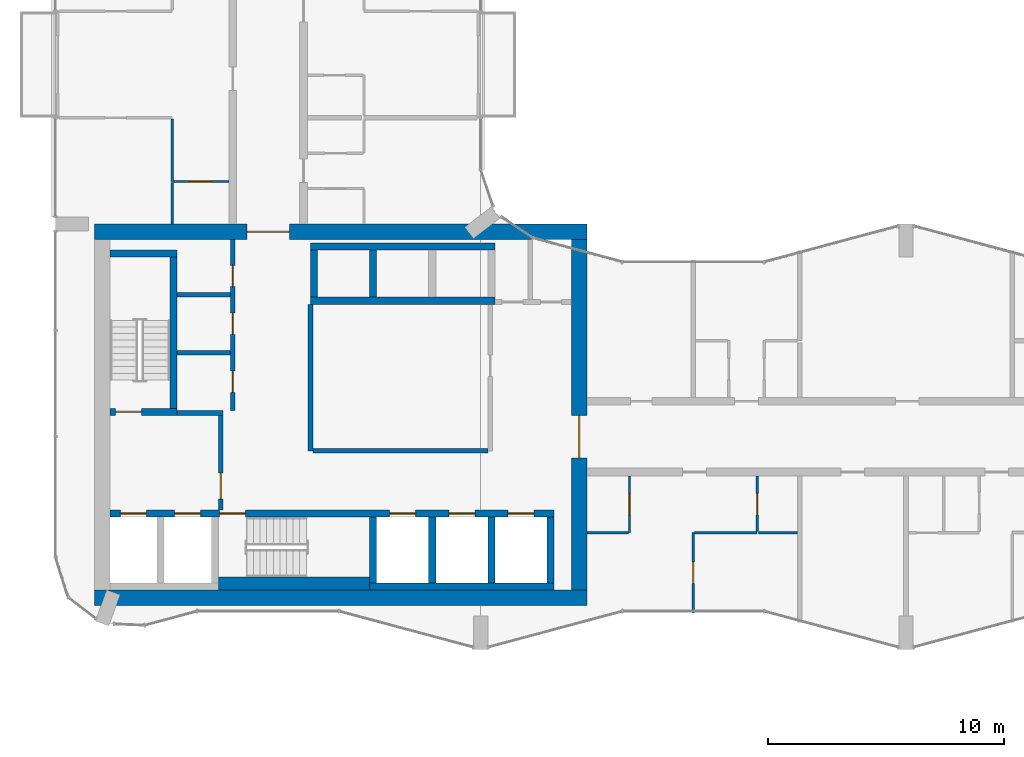
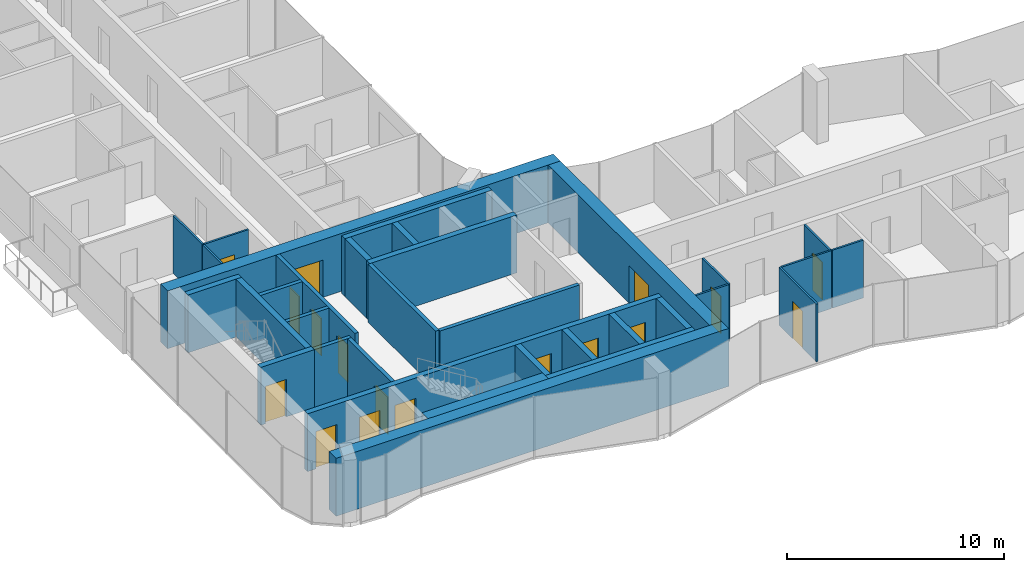
# One storey, part 13 of 22: 33 walls, 17 doors, 17 openings.
"""IFC4 building model written with IfcOpenShell, lengths in metres."""

from ifc_helpers import new_model, si_unit, direction, frame, frame_2d, origin, place, context, subcontext, project, spatial, rectangle, extrude, material, layer, layer_set, type_object, element, fill, save


model = new_model("IFC4")

# Units and contexts
model_context = context("Model", 3, precision=1e-05, world=origin(), true_north=direction((0.0, 1.0)))
body_context = subcontext(model_context, "Body", "Model", "MODEL_VIEW")
ifc_project = project(units=[si_unit("LENGTHUNIT", "METRE"), si_unit("AREAUNIT", "SQUARE_METRE"), si_unit("VOLUMEUNIT", "CUBIC_METRE"), si_unit("PLANEANGLEUNIT", "RADIAN"), si_unit("MASSUNIT", "GRAM", prefix="KILO")], contexts=[model_context])

# Site, building, storey
site_placement = place(None, origin())
site = spatial("IfcSite", under=ifc_project, at=site_placement, CompositionType="ELEMENT")
building_placement = place(site_placement, origin())
building = spatial("IfcBuilding", under=site, at=building_placement, Name="Plateau Cross Towers", CompositionType="ELEMENT")
storey_placement = place(building_placement, frame((0.0, 0.0, 109.800048828125)))
storey = spatial("IfcBuildingStorey", under=building, at=storey_placement, Name="L28", CompositionType="ELEMENT", Elevation=109.800048828125)

# Wall, opening, door
ifc_material_1 = material(Name="Concrete block, plastered both sides", Category="concrete")
ifc_layer_1 = layer(ifc_material_1, 0.199951171875)
ifc_layer_set_1 = layer_set([ifc_layer_1], Name="Concrete block, plastered both sides")
wall_type_1 = type_object("IfcWallType", Name="Core partition 200", PredefinedType="PARTITIONING", material=ifc_layer_set_1)
wall_1_placement = place(storey_placement, frame((7.0, 5.89990234375, 0.0), z_axis=(0.0, 0.0, 1.0), x_axis=(0.0, 1.0, 0.0)))
wall_1 = element("IfcWall", 1, at=wall_1_placement, inside=storey, type_object=wall_type_1, Name="Core partition", PredefinedType="PARTITIONING", context=body_context, shape_type="SweptSolid", body=[
    extrude(rectangle(XDim=4.0, YDim=0.199951171875, at=frame_2d((2.0, 0.0))), origin(), (0.0, 0.0, 1.0), 3.25),
])
opening_1_placement = place(wall_1_placement, frame((0.449951171875, 0.0, 0.0)))
opening_1 = element("IfcOpeningElement", 2, at=opening_1_placement, cuts=wall_1, Name="Opening FFD", PredefinedType="OPENING", context=body_context, shape_type="SweptSolid", body=[
    extrude(rectangle(XDim=1.10009765625, YDim=2.10009765625, at=frame_2d((0.550048828125, 1.050048828125))), frame((0.0, 0.10986328125, 0.0), z_axis=(0.0, -1.0, 0.0), x_axis=(1.0, 0.0, 0.0)), (0.0, 0.0, 1.0), 0.219970703125),
])
ifc_material_2 = material(Name="Steel, fire-resisting leaf", Category="steel")
door_type_1 = type_object("IfcDoorType", Name="Firefighting lobby door 1100", OperationType="NOTDEFINED", PredefinedType="DOOR", material=ifc_material_2)
door_1_placement = place(opening_1_placement, origin())
door_1 = element("IfcDoor", 3, at=door_1_placement, inside=storey, type_object=door_type_1, Name="Firefighting lobby door FFD", OperationType="SINGLE_SWING_LEFT", OverallHeight=2.10009765625, OverallWidth=1.10009765625, PredefinedType="DOOR", context=body_context, shape_type="SweptSolid", body=[
    extrude(rectangle(XDim=1.10009765625, YDim=2.10009765625, at=frame_2d((0.550048828125, 1.050048828125))), frame((0.0, 0.02490234375, 0.0), z_axis=(0.0, -1.0, 0.0), x_axis=(1.0, 0.0, 0.0)), (0.0, 0.0, 1.0), 0.050048828125),
])
fill(opening_1, door_1)

# Walls
wall_2_placement = place(storey_placement, frame((5.14990234375, 10.0, 0.0), z_axis=(0.0, 0.0, 1.0), x_axis=(1.0, 0.0, 0.0)))
element("IfcWall", 4, at=wall_2_placement, inside=storey, type_object=wall_type_1, Name="Core partition", PredefinedType="PARTITIONING", context=body_context, shape_type="SweptSolid", body=[
    extrude(rectangle(XDim=1.9501953125, YDim=0.199951171875, at=frame_2d((0.97509765625, 0.0))), origin(), (0.0, 0.0, 1.0), 3.25),
])
wall_3_placement = place(storey_placement, frame((10.800048828125, 8.39990234375, 0.0), z_axis=(0.0, 0.0, 1.0), x_axis=(0.0, 1.0, 0.0)))
element("IfcWall", 5, at=wall_3_placement, inside=storey, type_object=wall_type_1, Name="Core partition", PredefinedType="PARTITIONING", context=body_context, shape_type="SweptSolid", body=[
    extrude(rectangle(XDim=6.2001953125, YDim=0.199951171875, at=frame_2d((3.10009765625, 0.0))), origin(), (0.0, 0.0, 1.0), 3.25),
])
wall_4_placement = place(storey_placement, frame((10.89990234375, 8.39990234375, 0.0), z_axis=(0.0, 0.0, 1.0), x_axis=(1.0, 0.0, 0.0)))
element("IfcWall", 6, at=wall_4_placement, inside=storey, type_object=wall_type_1, Name="Core partition", PredefinedType="PARTITIONING", context=body_context, shape_type="SweptSolid", body=[
    extrude(rectangle(XDim=7.400146484375, YDim=0.199951171875, at=frame_2d((3.7001953125, 0.0))), origin(), (0.0, 0.0, 1.0), 3.25),
])

# Wall, openings, doors
wall_5_placement = place(storey_placement, frame((7.5, 10.10009765625, 0.0), z_axis=(0.0, 0.0, 1.0), x_axis=(0.0, 1.0, 0.0)))
wall_5 = element("IfcWall", 7, at=wall_5_placement, inside=storey, type_object=wall_type_1, Name="Core partition", PredefinedType="PARTITIONING", context=body_context, shape_type="SweptSolid", body=[
    extrude(rectangle(XDim=7.25, YDim=0.199951171875, at=frame_2d((3.625, 0.0))), origin(), (0.0, 0.0, 1.0), 3.25),
])
opening_2_placement = place(wall_5_placement, frame((0.77490234375, 0.0, 0.0)))
opening_2 = element("IfcOpeningElement", 8, at=opening_2_placement, cuts=wall_5, Name="Opening RD1", PredefinedType="OPENING", context=body_context, shape_type="SweptSolid", body=[
    extrude(rectangle(XDim=0.89990234375, YDim=2.10009765625, at=frame_2d((0.449951171875, 1.050048828125))), frame((0.0, 0.10986328125, 0.0), z_axis=(0.0, -1.0, 0.0), x_axis=(1.0, 0.0, 0.0)), (0.0, 0.0, 1.0), 0.219970703125),
])
opening_3_placement = place(wall_5_placement, frame((3.22509765625, 0.0, 0.0)))
opening_3 = element("IfcOpeningElement", 9, at=opening_3_placement, cuts=wall_5, Name="Opening RD1", PredefinedType="OPENING", context=body_context, shape_type="SweptSolid", body=[
    extrude(rectangle(XDim=0.89990234375, YDim=2.10009765625, at=frame_2d((0.449951171875, 1.050048828125))), frame((0.0, 0.10986328125, 0.0), z_axis=(0.0, -1.0, 0.0), x_axis=(1.0, 0.0, 0.0)), (0.0, 0.0, 1.0), 0.219970703125),
])
opening_4_placement = place(wall_5_placement, frame((5.25, 0.0, 0.0)))
opening_4 = element("IfcOpeningElement", 10, at=opening_4_placement, cuts=wall_5, Name="Opening RD1", PredefinedType="OPENING", context=body_context, shape_type="SweptSolid", body=[
    extrude(rectangle(XDim=0.89990234375, YDim=2.10009765625, at=frame_2d((0.449951171875, 1.050048828125))), frame((0.0, 0.10986328125, 0.0), z_axis=(0.0, -1.0, 0.0), x_axis=(1.0, 0.0, 0.0)), (0.0, 0.0, 1.0), 0.219970703125),
])
ifc_material_3 = material(Name="Timber, fire-resisting leaf", Category="wood")
door_type_2 = type_object("IfcDoorType", Name="Core service door 900", OperationType="NOTDEFINED", PredefinedType="DOOR", material=ifc_material_3)
door_2_placement = place(opening_2_placement, origin())
door_2 = element("IfcDoor", 11, at=door_2_placement, inside=storey, type_object=door_type_2, Name="Core service door RD1", OperationType="SINGLE_SWING_RIGHT", OverallHeight=2.10009765625, OverallWidth=0.89990234375, PredefinedType="DOOR", context=body_context, shape_type="SweptSolid", body=[
    extrude(rectangle(XDim=0.89990234375, YDim=2.10009765625, at=frame_2d((0.449951171875, 1.050048828125))), frame((0.0, 0.02490234375, 0.0), z_axis=(0.0, -1.0, 0.0), x_axis=(1.0, 0.0, 0.0)), (0.0, 0.0, 1.0), 0.050048828125),
])
fill(opening_2, door_2)
door_3_placement = place(opening_3_placement, origin())
door_3 = element("IfcDoor", 12, at=door_3_placement, inside=storey, type_object=door_type_2, Name="Core service door RD1", OperationType="SINGLE_SWING_RIGHT", OverallHeight=2.10009765625, OverallWidth=0.89990234375, PredefinedType="DOOR", context=body_context, shape_type="SweptSolid", body=[
    extrude(rectangle(XDim=0.89990234375, YDim=2.10009765625, at=frame_2d((0.449951171875, 1.050048828125))), frame((0.0, 0.02490234375, 0.0), z_axis=(0.0, -1.0, 0.0), x_axis=(1.0, 0.0, 0.0)), (0.0, 0.0, 1.0), 0.050048828125),
])
fill(opening_3, door_3)
door_4_placement = place(opening_4_placement, origin())
door_4 = element("IfcDoor", 13, at=door_4_placement, inside=storey, type_object=door_type_2, Name="Core service door RD1", OperationType="SINGLE_SWING_RIGHT", OverallHeight=2.10009765625, OverallWidth=0.89990234375, PredefinedType="DOOR", context=body_context, shape_type="SweptSolid", body=[
    extrude(rectangle(XDim=0.89990234375, YDim=2.10009765625, at=frame_2d((0.449951171875, 1.050048828125))), frame((0.0, 0.02490234375, 0.0), z_axis=(0.0, -1.0, 0.0), x_axis=(1.0, 0.0, 0.0)), (0.0, 0.0, 1.0), 0.050048828125),
])
fill(opening_4, door_4)

# Walls
for number, where, z_axis, x_axis, name in (
    (14, (5.14990234375, 12.550048828125, 0.0), (0.0, 0.0, 1.0), (1.0, 0.0, 0.0), "Core partition"),
    (15, (5.14990234375, 15.0, 0.0), (0.0, 0.0, 1.0), (1.0, 0.0, 0.0), "Core partition"),
):
    element("IfcWall", number, at=place(storey_placement, frame(where, z_axis=z_axis, x_axis=x_axis)), inside=storey, type_object=wall_type_1, Name=name, PredefinedType="PARTITIONING", context=body_context, shape_type="SweptSolid", body=[
        extrude(rectangle(XDim=2.25, YDim=0.199951171875, at=frame_2d((1.125, 0.0))), origin(), (0.0, 0.0, 1.0), 3.25),
    ])
ifc_material_4 = material(Name="Concrete C60/75", Category="concrete")
ifc_layer_2 = layer(ifc_material_4, 0.300048828125)
ifc_layer_set_2 = layer_set([ifc_layer_2], Name="Concrete C60/75")
wall_type_2 = type_object("IfcWallType", Name="Core shaft wall 300", PredefinedType="SHEAR", material=ifc_layer_set_2)
wall_6_placement = place(storey_placement, frame((13.300048828125, 2.64990234375, 0.0), z_axis=(0.0, 0.0, 1.0), x_axis=(1.0, 0.0, 0.0)))
element("IfcWall", 16, at=wall_6_placement, inside=storey, type_object=wall_type_2, Name="A-sb-back3@L28", PredefinedType="SHEAR", context=body_context, shape_type="SweptSolid", body=[
    extrude(rectangle(XDim=7.800048828125, YDim=0.300048828125, at=frame_2d((3.89990234375, 0.0))), origin(), (0.0, 0.0, 1.0), 3.25),
])
for number, where, z_axis, x_axis, name in (
    (17, (13.449951171875, 2.800048828125, 0.0), (0.0, 0.0, 1.0), (0.0, 1.0, 0.0), "A-sb-v3@L28"),
    (18, (15.949951171875, 2.800048828125, 0.0), (0.0, 0.0, 1.0), (0.0, 1.0, 0.0), "A-sb-v4@L28"),
    (19, (18.449951171875, 2.800048828125, 0.0), (0.0, 0.0, 1.0), (0.0, 1.0, 0.0), "A-sb-v5@L28"),
    (20, (20.949951171875, 2.800048828125, 0.0), (0.0, 0.0, 1.0), (0.0, 1.0, 0.0), "A-sb-v6@L28"),
):
    element("IfcWall", number, at=place(storey_placement, frame(where, z_axis=z_axis, x_axis=x_axis)), inside=storey, type_object=wall_type_2, Name=name, PredefinedType="SHEAR", context=body_context, shape_type="SweptSolid", body=[
        extrude(rectangle(XDim=2.800048828125, YDim=0.300048828125, at=frame_2d((1.39990234375, 0.0))), origin(), (0.0, 0.0, 1.0), 3.25),
    ])

# Wall, openings, doors
wall_7_placement = place(storey_placement, frame((2.300048828125, 5.75, 0.0), z_axis=(0.0, 0.0, 1.0), x_axis=(1.0, 0.0, 0.0)))
wall_7 = element("IfcWall", 21, at=wall_7_placement, inside=storey, type_object=wall_type_2, Name="A-sb-front@L28", PredefinedType="SHEAR", context=body_context, shape_type="SweptSolid", body=[
    extrude(rectangle(XDim=18.800048828125, YDim=0.300048828125, at=frame_2d((9.39990234375, 0.0))), origin(), (0.0, 0.0, 1.0), 3.25),
])
opening_5_placement = place(wall_7_placement, frame((4.64990234375, 0.0, 0.0)))
opening_5 = element("IfcOpeningElement", 22, at=opening_5_placement, cuts=wall_7, Name="Opening SD", PredefinedType="OPENING", context=body_context, shape_type="SweptSolid", body=[
    extrude(rectangle(XDim=1.10009765625, YDim=2.10009765625, at=frame_2d((0.550048828125, 1.050048828125))), frame((0.0, 0.159912109375, 0.0), z_axis=(0.0, -1.0, 0.0), x_axis=(1.0, 0.0, 0.0)), (0.0, 0.0, 1.0), 0.320068359375),
])
opening_6_placement = place(wall_7_placement, frame((0.449951171875, 0.0, 0.0)))
opening_6 = element("IfcOpeningElement", 23, at=opening_6_placement, cuts=wall_7, Name="Opening LD", PredefinedType="OPENING", context=body_context, shape_type="SweptSolid", body=[
    extrude(rectangle(XDim=1.10009765625, YDim=2.10009765625, at=frame_2d((0.550048828125, 1.050048828125))), frame((0.0, 0.159912109375, 0.0), z_axis=(0.0, -1.0, 0.0), x_axis=(1.0, 0.0, 0.0)), (0.0, 0.0, 1.0), 0.320068359375),
])
opening_7_placement = place(wall_7_placement, frame((2.75, 0.0, 0.0)))
opening_7 = element("IfcOpeningElement", 24, at=opening_7_placement, cuts=wall_7, Name="Opening LD", PredefinedType="OPENING", context=body_context, shape_type="SweptSolid", body=[
    extrude(rectangle(XDim=1.10009765625, YDim=2.10009765625, at=frame_2d((0.550048828125, 1.050048828125))), frame((0.0, 0.159912109375, 0.0), z_axis=(0.0, -1.0, 0.0), x_axis=(1.0, 0.0, 0.0)), (0.0, 0.0, 1.0), 0.320068359375),
])
opening_8_placement = place(wall_7_placement, frame((11.85009765625, 0.0, 0.0)))
opening_8 = element("IfcOpeningElement", 25, at=opening_8_placement, cuts=wall_7, Name="Opening LD", PredefinedType="OPENING", context=body_context, shape_type="SweptSolid", body=[
    extrude(rectangle(XDim=1.10009765625, YDim=2.10009765625, at=frame_2d((0.550048828125, 1.050048828125))), frame((0.0, 0.159912109375, 0.0), z_axis=(0.0, -1.0, 0.0), x_axis=(1.0, 0.0, 0.0)), (0.0, 0.0, 1.0), 0.320068359375),
])
opening_9_placement = place(wall_7_placement, frame((14.35009765625, 0.0, 0.0)))
opening_9 = element("IfcOpeningElement", 26, at=opening_9_placement, cuts=wall_7, Name="Opening LD", PredefinedType="OPENING", context=body_context, shape_type="SweptSolid", body=[
    extrude(rectangle(XDim=1.10009765625, YDim=2.10009765625, at=frame_2d((0.550048828125, 1.050048828125))), frame((0.0, 0.159912109375, 0.0), z_axis=(0.0, -1.0, 0.0), x_axis=(1.0, 0.0, 0.0)), (0.0, 0.0, 1.0), 0.320068359375),
])
opening_10_placement = place(wall_7_placement, frame((16.85009765625, 0.0, 0.0)))
opening_10 = element("IfcOpeningElement", 27, at=opening_10_placement, cuts=wall_7, Name="Opening LD", PredefinedType="OPENING", context=body_context, shape_type="SweptSolid", body=[
    extrude(rectangle(XDim=1.10009765625, YDim=2.10009765625, at=frame_2d((0.550048828125, 1.050048828125))), frame((0.0, 0.159912109375, 0.0), z_axis=(0.0, -1.0, 0.0), x_axis=(1.0, 0.0, 0.0)), (0.0, 0.0, 1.0), 0.320068359375),
])
ifc_material_5 = material(Name="Stainless steel, fire-resisting sliding leaves", Category="steel")
door_type_3 = type_object("IfcDoorType", Name="Lift landing door 1100", OperationType="NOTDEFINED", PredefinedType="DOOR", material=ifc_material_5)
door_5_placement = place(opening_6_placement, origin())
door_5 = element("IfcDoor", 28, at=door_5_placement, inside=storey, type_object=door_type_3, Name="Lift landing door LD", OperationType="DOUBLE_DOOR_SLIDING", OverallHeight=2.10009765625, OverallWidth=1.10009765625, PredefinedType="DOOR", context=body_context, shape_type="SweptSolid", body=[
    extrude(rectangle(XDim=1.10009765625, YDim=2.10009765625, at=frame_2d((0.550048828125, 1.050048828125))), frame((0.0, 0.02490234375, 0.0), z_axis=(0.0, -1.0, 0.0), x_axis=(1.0, 0.0, 0.0)), (0.0, 0.0, 1.0), 0.050048828125),
])
fill(opening_6, door_5)
door_6_placement = place(opening_7_placement, origin())
door_6 = element("IfcDoor", 29, at=door_6_placement, inside=storey, type_object=door_type_3, Name="Lift landing door LD", OperationType="DOUBLE_DOOR_SLIDING", OverallHeight=2.10009765625, OverallWidth=1.10009765625, PredefinedType="DOOR", context=body_context, shape_type="SweptSolid", body=[
    extrude(rectangle(XDim=1.10009765625, YDim=2.10009765625, at=frame_2d((0.550048828125, 1.050048828125))), frame((0.0, 0.02490234375, 0.0), z_axis=(0.0, -1.0, 0.0), x_axis=(1.0, 0.0, 0.0)), (0.0, 0.0, 1.0), 0.050048828125),
])
fill(opening_7, door_6)
door_7_placement = place(opening_8_placement, origin())
door_7 = element("IfcDoor", 30, at=door_7_placement, inside=storey, type_object=door_type_3, Name="Lift landing door LD", OperationType="DOUBLE_DOOR_SLIDING", OverallHeight=2.10009765625, OverallWidth=1.10009765625, PredefinedType="DOOR", context=body_context, shape_type="SweptSolid", body=[
    extrude(rectangle(XDim=1.10009765625, YDim=2.10009765625, at=frame_2d((0.550048828125, 1.050048828125))), frame((0.0, 0.02490234375, 0.0), z_axis=(0.0, -1.0, 0.0), x_axis=(1.0, 0.0, 0.0)), (0.0, 0.0, 1.0), 0.050048828125),
])
fill(opening_8, door_7)
door_8_placement = place(opening_9_placement, origin())
door_8 = element("IfcDoor", 31, at=door_8_placement, inside=storey, type_object=door_type_3, Name="Lift landing door LD", OperationType="DOUBLE_DOOR_SLIDING", OverallHeight=2.10009765625, OverallWidth=1.10009765625, PredefinedType="DOOR", context=body_context, shape_type="SweptSolid", body=[
    extrude(rectangle(XDim=1.10009765625, YDim=2.10009765625, at=frame_2d((0.550048828125, 1.050048828125))), frame((0.0, 0.02490234375, 0.0), z_axis=(0.0, -1.0, 0.0), x_axis=(1.0, 0.0, 0.0)), (0.0, 0.0, 1.0), 0.050048828125),
])
fill(opening_9, door_8)
door_9_placement = place(opening_10_placement, origin())
door_9 = element("IfcDoor", 32, at=door_9_placement, inside=storey, type_object=door_type_3, Name="Lift landing door LD", OperationType="DOUBLE_DOOR_SLIDING", OverallHeight=2.10009765625, OverallWidth=1.10009765625, PredefinedType="DOOR", context=body_context, shape_type="SweptSolid", body=[
    extrude(rectangle(XDim=1.10009765625, YDim=2.10009765625, at=frame_2d((0.550048828125, 1.050048828125))), frame((0.0, 0.02490234375, 0.0), z_axis=(0.0, -1.0, 0.0), x_axis=(1.0, 0.0, 0.0)), (0.0, 0.0, 1.0), 0.050048828125),
])
fill(opening_10, door_9)
door_type_4 = type_object("IfcDoorType", Name="Stair door 1100", OperationType="NOTDEFINED", PredefinedType="DOOR", material=ifc_material_2)
door_10_placement = place(opening_5_placement, origin())
door_10 = element("IfcDoor", 33, at=door_10_placement, inside=storey, type_object=door_type_4, Name="Stair door SD", OperationType="SINGLE_SWING_LEFT", OverallHeight=2.10009765625, OverallWidth=1.10009765625, PredefinedType="DOOR", context=body_context, shape_type="SweptSolid", body=[
    extrude(rectangle(XDim=1.10009765625, YDim=2.10009765625, at=frame_2d((0.550048828125, 1.050048828125))), frame((0.0, 0.02490234375, 0.0), z_axis=(0.0, -1.0, 0.0), x_axis=(1.0, 0.0, 0.0)), (0.0, 0.0, 1.0), 0.050048828125),
])
fill(opening_5, door_10)

# Wall, opening, door
wall_8_placement = place(storey_placement, frame((2.300048828125, 10.050048828125, 0.0), z_axis=(0.0, 0.0, 1.0), x_axis=(1.0, 0.0, 0.0)))
wall_8 = element("IfcWall", 34, at=wall_8_placement, inside=storey, type_object=wall_type_2, Name="A-st1-S@L28", PredefinedType="SHEAR", context=body_context, shape_type="SweptSolid", body=[
    extrude(rectangle(XDim=2.849853515625, YDim=0.300048828125, at=frame_2d((1.4248046875, 0.0))), origin(), (0.0, 0.0, 1.0), 3.25),
])
opening_11_placement = place(wall_8_placement, frame((0.25, 0.0, 0.0)))
opening_11 = element("IfcOpeningElement", 35, at=opening_11_placement, cuts=wall_8, Name="Opening SD", PredefinedType="OPENING", context=body_context, shape_type="SweptSolid", body=[
    extrude(rectangle(XDim=1.10009765625, YDim=2.10009765625, at=frame_2d((0.550048828125, 1.050048828125))), frame((0.0, 0.159912109375, 0.0), z_axis=(0.0, -1.0, 0.0), x_axis=(1.0, 0.0, 0.0)), (0.0, 0.0, 1.0), 0.320068359375),
])
door_11_placement = place(opening_11_placement, origin())
door_11 = element("IfcDoor", 36, at=door_11_placement, inside=storey, type_object=door_type_4, Name="Stair door SD", OperationType="SINGLE_SWING_RIGHT", OverallHeight=2.10009765625, OverallWidth=1.10009765625, PredefinedType="DOOR", context=body_context, shape_type="SweptSolid", body=[
    extrude(rectangle(XDim=1.10009765625, YDim=2.10009765625, at=frame_2d((0.550048828125, 1.050048828125))), frame((0.0, 0.02490234375, 0.0), z_axis=(0.0, -1.0, 0.0), x_axis=(1.0, 0.0, 0.0)), (0.0, 0.0, 1.0), 0.050048828125),
])
fill(opening_11, door_11)

# Walls
wall_9_placement = place(storey_placement, frame((5.0, 10.199951171875, 0.0), z_axis=(0.0, 0.0, 1.0), x_axis=(0.0, 1.0, 0.0)))
element("IfcWall", 37, at=wall_9_placement, inside=storey, type_object=wall_type_2, Name="A-st1-E@L28", PredefinedType="SHEAR", context=body_context, shape_type="SweptSolid", body=[
    extrude(rectangle(XDim=6.400146484375, YDim=0.300048828125, at=frame_2d((3.2001953125, 0.0))), origin(), (0.0, 0.0, 1.0), 3.25),
])
wall_10_placement = place(storey_placement, frame((2.300048828125, 16.75, 0.0), z_axis=(0.0, 0.0, 1.0), x_axis=(1.0, 0.0, 0.0)))
element("IfcWall", 38, at=wall_10_placement, inside=storey, type_object=wall_type_2, Name="A-st1-N@L28", PredefinedType="SHEAR", context=body_context, shape_type="SweptSolid", body=[
    extrude(rectangle(XDim=2.849853515625, YDim=0.300048828125, at=frame_2d((1.4248046875, 0.0))), origin(), (0.0, 0.0, 1.0), 3.25),
])
for number, where, z_axis, x_axis, name in (
    (39, (10.800048828125, 17.050048828125, 0.0), (0.0, 0.0, 1.0), (1.0, 0.0, 0.0), "A-nb-back@L28"),
    (40, (10.800048828125, 14.75, 0.0), (0.0, 0.0, 1.0), (1.0, 0.0, 0.0), "A-nb-front@L28"),
):
    element("IfcWall", number, at=place(storey_placement, frame(where, z_axis=z_axis, x_axis=x_axis)), inside=storey, type_object=wall_type_2, Name=name, PredefinedType="SHEAR", context=body_context, shape_type="SweptSolid", body=[
        extrude(rectangle(XDim=7.800048828125, YDim=0.300048828125, at=frame_2d((3.89990234375, 0.0))), origin(), (0.0, 0.0, 1.0), 3.25),
    ])
for number, where, z_axis, x_axis, name in (
    (41, (10.949951171875, 14.89990234375, 0.0), (0.0, 0.0, 1.0), (0.0, 1.0, 0.0), "A-nb-v1@L28"),
    (42, (13.449951171875, 14.89990234375, 0.0), (0.0, 0.0, 1.0), (0.0, 1.0, 0.0), "A-nb-v2@L28"),
):
    element("IfcWall", number, at=place(storey_placement, frame(where, z_axis=z_axis, x_axis=x_axis)), inside=storey, type_object=wall_type_2, Name=name, PredefinedType="SHEAR", context=body_context, shape_type="SweptSolid", body=[
        extrude(rectangle(XDim=2.0, YDim=0.300048828125, at=frame_2d((1.0, 0.0))), origin(), (0.0, 0.0, 1.0), 3.25),
    ])
ifc_layer_3 = layer(ifc_material_4, 0.550048828125)
ifc_layer_set_3 = layer_set([ifc_layer_3], Name="Concrete C60/75")
wall_type_3 = type_object("IfcWallType", Name="Core shaft wall 550", PredefinedType="SHEAR", material=ifc_layer_set_3)
wall_11_placement = place(storey_placement, frame((6.89990234375, 2.77490234375, 0.0), z_axis=(0.0, 0.0, 1.0), x_axis=(1.0, 0.0, 0.0)))
element("IfcWall", 43, at=wall_11_placement, inside=storey, type_object=wall_type_3, Name="A-sb-back2@L28", PredefinedType="SHEAR", context=body_context, shape_type="SweptSolid", body=[
    extrude(rectangle(XDim=6.400146484375, YDim=0.550048828125, at=frame_2d((3.2001953125, 0.0))), origin(), (0.0, 0.0, 1.0), 3.25),
])
ifc_layer_4 = layer(ifc_material_4, 0.64990234375)
ifc_layer_set_4 = layer_set([ifc_layer_4], Name="Concrete C60/75")
wall_type_4 = type_object("IfcWallType", Name="Core shell wall 650", PredefinedType="SHEAR", material=ifc_layer_set_4)
wall_12_placement = place(storey_placement, frame((1.64990234375, 2.175048828125, 0.0), z_axis=(0.0, 0.0, 1.0), x_axis=(1.0, 0.0, 0.0)))
element("IfcWall", 44, at=wall_12_placement, inside=storey, type_object=wall_type_4, Name="A-core-S@L28", PredefinedType="SHEAR", context=body_context, shape_type="SweptSolid", body=[
    extrude(rectangle(XDim=20.85009765625, YDim=0.64990234375, at=frame_2d((10.425048828125, 0.0))), origin(), (0.0, 0.0, 1.0), 3.25),
])

# Wall, opening, door
wall_13_placement = place(storey_placement, frame((1.64990234375, 17.675048828125, 0.0), z_axis=(0.0, 0.0, 1.0), x_axis=(1.0, 0.0, 0.0)))
wall_13 = element("IfcWall", 45, at=wall_13_placement, inside=storey, type_object=wall_type_4, Name="A-core-N@L28", PredefinedType="SHEAR", context=body_context, shape_type="SweptSolid", body=[
    extrude(rectangle(XDim=20.85009765625, YDim=0.64990234375, at=frame_2d((10.425048828125, 0.0))), origin(), (0.0, 0.0, 1.0), 3.25),
])
opening_12_placement = place(wall_13_placement, frame((6.449951171875, 0.0, 0.0)))
opening_12 = element("IfcOpeningElement", 46, at=opening_12_placement, cuts=wall_13, Name="Opening CD", PredefinedType="OPENING", context=body_context, shape_type="SweptSolid", body=[
    extrude(rectangle(XDim=1.800048828125, YDim=2.10009765625, at=frame_2d((0.89990234375, 1.050048828125))), frame((0.0, 0.3349609375, 0.0), z_axis=(0.0, -1.0, 0.0), x_axis=(1.0, 0.0, 0.0)), (0.0, 0.0, 1.0), 0.669921875),
])
ifc_material_6 = material(Name="Steel, fire-resisting leaves", Category="steel")
door_type_5 = type_object("IfcDoorType", Name="Corridor door pair 1800", OperationType="NOTDEFINED", PredefinedType="DOOR", material=ifc_material_6)
door_12_placement = place(opening_12_placement, origin())
door_12 = element("IfcDoor", 47, at=door_12_placement, inside=storey, type_object=door_type_5, Name="Corridor door pair CD", OperationType="DOUBLE_DOOR_SINGLE_SWING", OverallHeight=2.10009765625, OverallWidth=1.800048828125, PredefinedType="DOOR", context=body_context, shape_type="SweptSolid", body=[
    extrude(rectangle(XDim=1.800048828125, YDim=2.10009765625, at=frame_2d((0.89990234375, 1.050048828125))), frame((0.0, 0.02490234375, 0.0), z_axis=(0.0, -1.0, 0.0), x_axis=(1.0, 0.0, 0.0)), (0.0, 0.0, 1.0), 0.050048828125),
])
fill(opening_12, door_12)

wall_14_placement = place(storey_placement, frame((22.175048828125, 2.5, 0.0), z_axis=(0.0, 0.0, 1.0), x_axis=(0.0, 1.0, 0.0)))
wall_14 = element("IfcWall", 48, at=wall_14_placement, inside=storey, type_object=wall_type_4, Name="A-core-E@L28", PredefinedType="SHEAR", context=body_context, shape_type="SweptSolid", body=[
    extrude(rectangle(XDim=14.85009765625, YDim=0.64990234375, at=frame_2d((7.425048828125, 0.0))), origin(), (0.0, 0.0, 1.0), 3.25),
])
opening_13_placement = place(wall_14_placement, frame((5.60009765625, 0.0, 0.0)))
opening_13 = element("IfcOpeningElement", 49, at=opening_13_placement, cuts=wall_14, Name="Opening CD", PredefinedType="OPENING", context=body_context, shape_type="SweptSolid", body=[
    extrude(rectangle(XDim=1.800048828125, YDim=2.10009765625, at=frame_2d((0.89990234375, 1.050048828125))), frame((0.0, 0.3349609375, 0.0), z_axis=(0.0, -1.0, 0.0), x_axis=(1.0, 0.0, 0.0)), (0.0, 0.0, 1.0), 0.669921875),
])
door_13_placement = place(opening_13_placement, origin())
door_13 = element("IfcDoor", 50, at=door_13_placement, inside=storey, type_object=door_type_5, Name="Corridor door pair CD", OperationType="DOUBLE_DOOR_SINGLE_SWING", OverallHeight=2.10009765625, OverallWidth=1.800048828125, PredefinedType="DOOR", context=body_context, shape_type="SweptSolid", body=[
    extrude(rectangle(XDim=1.800048828125, YDim=2.10009765625, at=frame_2d((0.89990234375, 1.050048828125))), frame((0.0, 0.02490234375, 0.0), z_axis=(0.0, -1.0, 0.0), x_axis=(1.0, 0.0, 0.0)), (0.0, 0.0, 1.0), 0.050048828125),
])
fill(opening_13, door_13)

# Walls
ifc_material_7 = material(Name="Gypsum board on steel studs", Category="steel")
ifc_layer_5 = layer(ifc_material_7, 0.10009765625)
ifc_layer_set_5 = layer_set([ifc_layer_5], Name="Gypsum board on steel studs")
wall_type_5 = type_object("IfcWallType", Name="Flat partition 100", PredefinedType="PARTITIONING", material=ifc_layer_set_5)
wall_15_placement = place(storey_placement, frame((29.699951171875, 4.9375, 0.0), z_axis=(0.0, 0.0, 1.0), x_axis=(-1.0, 0.0, 0.0)))
element("IfcWall", 51, at=wall_15_placement, inside=storey, type_object=wall_type_5, Name="Partition wall", PredefinedType="PARTITIONING", context=body_context, shape_type="SweptSolid", body=[
    extrude(rectangle(XDim=2.64990234375, YDim=0.10009765625, at=frame_2d((1.324951171875, 0.0))), origin(), (0.0, 0.0, 1.0), 3.25),
])
wall_16_placement = place(storey_placement, frame((22.5, 4.9375, 0.0), z_axis=(0.0, 0.0, 1.0), x_axis=(1.0, 0.0, 0.0)))
element("IfcWall", 52, at=wall_16_placement, inside=storey, type_object=wall_type_5, Name="Partition wall", PredefinedType="PARTITIONING", context=body_context, shape_type="SweptSolid", body=[
    extrude(rectangle(XDim=1.75, YDim=0.10009765625, at=frame_2d((0.875, 0.0))), origin(), (0.0, 0.0, 1.0), 3.25),
])
wall_17_placement = place(storey_placement, frame((29.75, 4.9375, 0.0), z_axis=(0.0, 0.0, 1.0), x_axis=(1.0, 0.0, 0.0)))
element("IfcWall", 53, at=wall_17_placement, inside=storey, type_object=wall_type_5, Name="Partition wall", PredefinedType="PARTITIONING", context=body_context, shape_type="SweptSolid", body=[
    extrude(rectangle(XDim=1.64990234375, YDim=0.10009765625, at=frame_2d((0.824951171875, 0.0))), origin(), (0.0, 0.0, 1.0), 3.25),
])

# Wall, opening, door
wall_18_placement = place(storey_placement, frame((7.33740234375, 19.800048828125, 0.0), z_axis=(0.0, 0.0, 1.0), x_axis=(-1.0, 0.0, 0.0)))
wall_18 = element("IfcWall", 54, at=wall_18_placement, inside=storey, type_object=wall_type_5, Name="Partition wall", PredefinedType="PARTITIONING", context=body_context, shape_type="SweptSolid", body=[
    extrude(rectangle(XDim=2.349853515625, YDim=0.10009765625, at=frame_2d((1.1748046875, 0.0))), origin(), (0.0, 0.0, 1.0), 3.25),
])
opening_14_placement = place(wall_18_placement, frame((0.75, 0.0, 0.0)))
opening_14 = element("IfcOpeningElement", 55, at=opening_14_placement, cuts=wall_18, Name="Opening 28-28", PredefinedType="OPENING", context=body_context, shape_type="SweptSolid", body=[
    extrude(rectangle(XDim=0.89990234375, YDim=2.10009765625, at=frame_2d((0.449951171875, 1.050048828125))), frame((0.0, 0.06005859375, 0.0), z_axis=(0.0, -1.0, 0.0), x_axis=(1.0, 0.0, 0.0)), (0.0, 0.0, 1.0), 0.1201171875),
])
ifc_material_8 = material(Name="Timber leaf", Category="wood")
door_type_6 = type_object("IfcDoorType", Name="Flat room door 900", OperationType="NOTDEFINED", PredefinedType="DOOR", material=ifc_material_8)
door_14_placement = place(opening_14_placement, origin())
door_14 = element("IfcDoor", 56, at=door_14_placement, inside=storey, type_object=door_type_6, Name="Door 28-28", OperationType="SINGLE_SWING_RIGHT", OverallHeight=2.10009765625, OverallWidth=0.89990234375, PredefinedType="DOOR", context=body_context, shape_type="SweptSolid", body=[
    extrude(rectangle(XDim=0.89990234375, YDim=2.10009765625, at=frame_2d((0.449951171875, 1.050048828125))), frame((0.0, 0.02490234375, 0.0), z_axis=(0.0, -1.0, 0.0), x_axis=(1.0, 0.0, 0.0)), (0.0, 0.0, 1.0), 0.050048828125),
])
fill(opening_14, door_14)

# Walls
wall_19_placement = place(storey_placement, frame((4.9375, 19.75, 0.0), z_axis=(0.0, 0.0, 1.0), x_axis=(0.0, -1.0, 0.0)))
element("IfcWall", 57, at=wall_19_placement, inside=storey, type_object=wall_type_5, Name="Partition wall", PredefinedType="PARTITIONING", context=body_context, shape_type="SweptSolid", body=[
    extrude(rectangle(XDim=1.75, YDim=0.10009765625, at=frame_2d((0.875, 0.0))), origin(), (0.0, 0.0, 1.0), 3.25),
])
wall_20_placement = place(storey_placement, frame((4.9375, 19.800048828125, 0.0), z_axis=(0.0, 0.0, 1.0), x_axis=(0.0, 1.0, 0.0)))
element("IfcWall", 58, at=wall_20_placement, inside=storey, type_object=wall_type_5, Name="Partition wall", PredefinedType="PARTITIONING", context=body_context, shape_type="SweptSolid", body=[
    extrude(rectangle(XDim=2.64990234375, YDim=0.10009765625, at=frame_2d((1.324951171875, 0.0))), origin(), (0.0, 0.0, 1.0), 3.25),
])

# Wall, opening, door
wall_21_placement = place(storey_placement, frame((24.300048828125, 4.9375, 0.0), z_axis=(0.0, 0.0, 1.0), x_axis=(0.0, 1.0, 0.0)))
wall_21 = element("IfcWall", 59, at=wall_21_placement, inside=storey, type_object=wall_type_5, Name="Partition wall", PredefinedType="PARTITIONING", context=body_context, shape_type="SweptSolid", body=[
    extrude(rectangle(XDim=2.39990234375, YDim=0.10009765625, at=frame_2d((1.199951171875, 0.0))), origin(), (0.0, 0.0, 1.0), 3.25),
])
opening_15_placement = place(wall_21_placement, frame((0.75, 0.0, 0.0)))
opening_15 = element("IfcOpeningElement", 60, at=opening_15_placement, cuts=wall_21, Name="Opening 28-18", PredefinedType="OPENING", context=body_context, shape_type="SweptSolid", body=[
    extrude(rectangle(XDim=0.89990234375, YDim=2.10009765625, at=frame_2d((0.449951171875, 1.050048828125))), frame((0.0, 0.06005859375, 0.0), z_axis=(0.0, -1.0, 0.0), x_axis=(1.0, 0.0, 0.0)), (0.0, 0.0, 1.0), 0.1201171875),
])
door_15_placement = place(opening_15_placement, origin())
door_15 = element("IfcDoor", 61, at=door_15_placement, inside=storey, type_object=door_type_6, Name="Door 28-18", OperationType="SINGLE_SWING_LEFT", OverallHeight=2.10009765625, OverallWidth=0.89990234375, PredefinedType="DOOR", context=body_context, shape_type="SweptSolid", body=[
    extrude(rectangle(XDim=0.89990234375, YDim=2.10009765625, at=frame_2d((0.449951171875, 1.050048828125))), frame((0.0, 0.02490234375, 0.0), z_axis=(0.0, -1.0, 0.0), x_axis=(1.0, 0.0, 0.0)), (0.0, 0.0, 1.0), 0.050048828125),
])
fill(opening_15, door_15)

wall_22_placement = place(storey_placement, frame((27.0, 4.9375, 0.0), z_axis=(0.0, 0.0, 1.0), x_axis=(0.0, -1.0, 0.0)))
wall_22 = element("IfcWall", 62, at=wall_22_placement, inside=storey, type_object=wall_type_5, Name="Partition wall", PredefinedType="PARTITIONING", context=body_context, shape_type="SweptSolid", body=[
    extrude(rectangle(XDim=3.41064453125, YDim=0.10009765625, at=frame_2d((1.705322265625, 0.0))), origin(), (0.0, 0.0, 1.0), 3.25),
])
opening_16_placement = place(wall_22_placement, frame((1.25, 0.0, 0.0)))
opening_16 = element("IfcOpeningElement", 63, at=opening_16_placement, cuts=wall_22, Name="Opening 28-20", PredefinedType="OPENING", context=body_context, shape_type="SweptSolid", body=[
    extrude(rectangle(XDim=0.89990234375, YDim=2.10009765625, at=frame_2d((0.449951171875, 1.050048828125))), frame((0.0, 0.06005859375, 0.0), z_axis=(0.0, -1.0, 0.0), x_axis=(1.0, 0.0, 0.0)), (0.0, 0.0, 1.0), 0.1201171875),
])
door_16_placement = place(opening_16_placement, origin())
door_16 = element("IfcDoor", 64, at=door_16_placement, inside=storey, type_object=door_type_6, Name="Door 28-20", OperationType="SINGLE_SWING_LEFT", OverallHeight=2.10009765625, OverallWidth=0.89990234375, PredefinedType="DOOR", context=body_context, shape_type="SweptSolid", body=[
    extrude(rectangle(XDim=0.89990234375, YDim=2.10009765625, at=frame_2d((0.449951171875, 1.050048828125))), frame((0.0, 0.02490234375, 0.0), z_axis=(0.0, -1.0, 0.0), x_axis=(1.0, 0.0, 0.0)), (0.0, 0.0, 1.0), 0.050048828125),
])
fill(opening_16, door_16)

wall_23_placement = place(storey_placement, frame((29.699951171875, 7.33740234375, 0.0), z_axis=(0.0, 0.0, 1.0), x_axis=(0.0, -1.0, 0.0)))
wall_23 = element("IfcWall", 65, at=wall_23_placement, inside=storey, type_object=wall_type_5, Name="Partition wall", PredefinedType="PARTITIONING", context=body_context, shape_type="SweptSolid", body=[
    extrude(rectangle(XDim=2.349853515625, YDim=0.10009765625, at=frame_2d((1.1748046875, 0.0))), origin(), (0.0, 0.0, 1.0), 3.25),
])
opening_17_placement = place(wall_23_placement, frame((0.75, 0.0, 0.0)))
opening_17 = element("IfcOpeningElement", 66, at=opening_17_placement, cuts=wall_23, Name="Opening 28-19", PredefinedType="OPENING", context=body_context, shape_type="SweptSolid", body=[
    extrude(rectangle(XDim=0.89990234375, YDim=2.10009765625, at=frame_2d((0.449951171875, 1.050048828125))), frame((0.0, 0.06005859375, 0.0), z_axis=(0.0, -1.0, 0.0), x_axis=(1.0, 0.0, 0.0)), (0.0, 0.0, 1.0), 0.1201171875),
])
door_17_placement = place(opening_17_placement, origin())
door_17 = element("IfcDoor", 67, at=door_17_placement, inside=storey, type_object=door_type_6, Name="Door 28-19", OperationType="SINGLE_SWING_RIGHT", OverallHeight=2.10009765625, OverallWidth=0.89990234375, PredefinedType="DOOR", context=body_context, shape_type="SweptSolid", body=[
    extrude(rectangle(XDim=0.89990234375, YDim=2.10009765625, at=frame_2d((0.449951171875, 1.050048828125))), frame((0.0, 0.02490234375, 0.0), z_axis=(0.0, -1.0, 0.0), x_axis=(1.0, 0.0, 0.0)), (0.0, 0.0, 1.0), 0.050048828125),
])
fill(opening_17, door_17)

save(model, "model.ifc")
